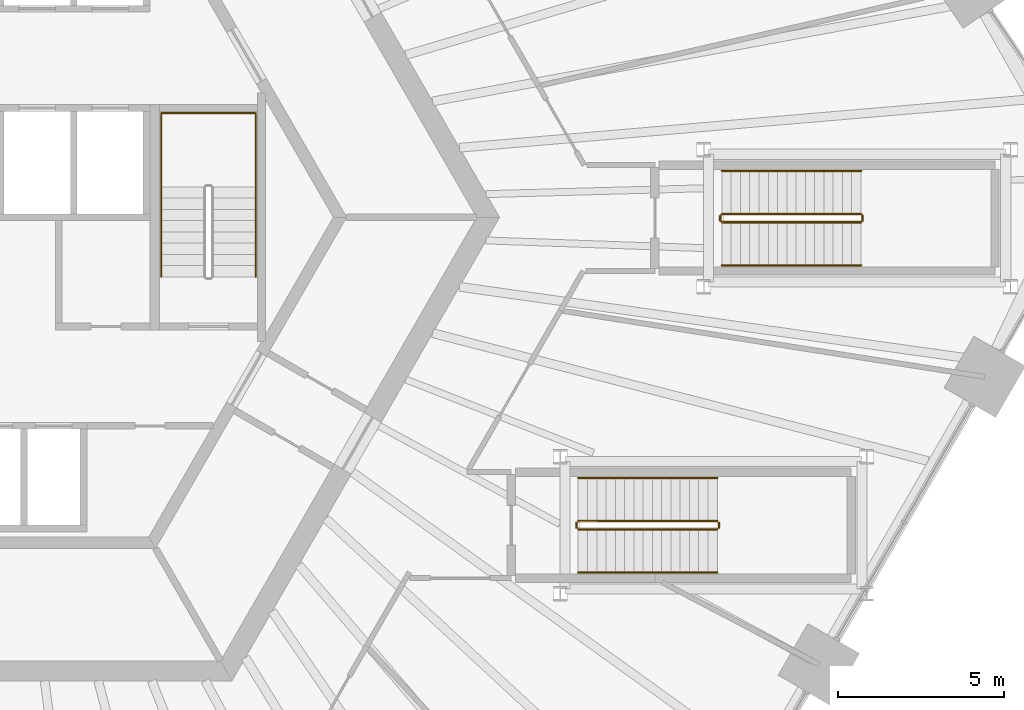
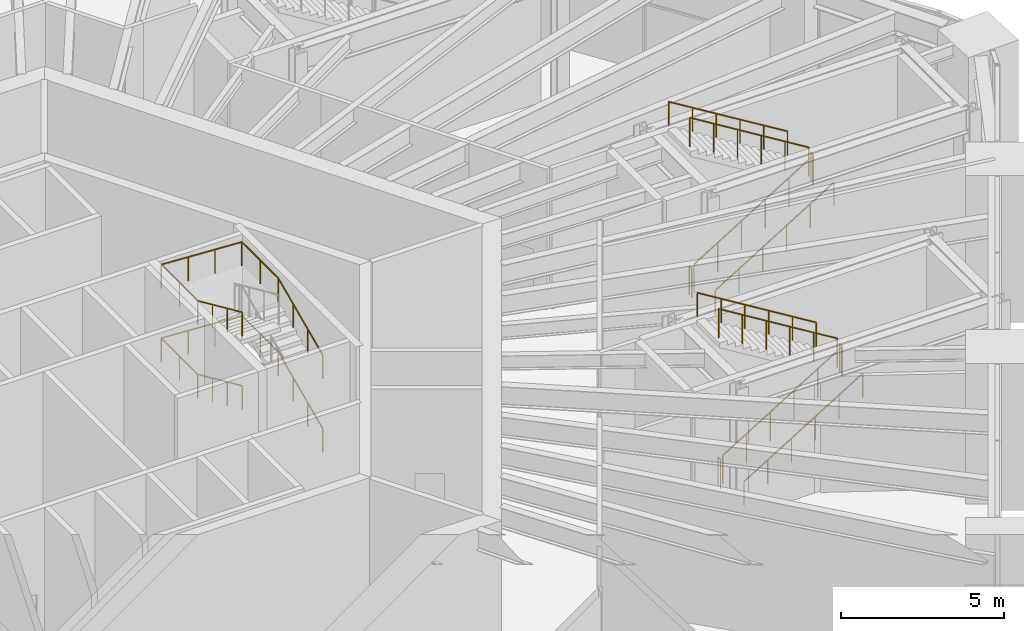
# One storey, part 28 of 30: 14 railings.
"""IFC4 building model written with IfcOpenShell, lengths in metres."""

from ifc_helpers import new_model, si_unit, direction, frame, origin, origin_2d, place, context, subcontext, project, spatial, circle, extrude, material, type_object, element, save


model = new_model("IFC4")

# Units and contexts
model_context = context("Model", 3, precision=1e-05, world=origin(), true_north=direction((0.0, 1.0)))
body_context = subcontext(model_context, "Body", "Model", "MODEL_VIEW")
ifc_project = project(units=[si_unit("LENGTHUNIT", "METRE"), si_unit("AREAUNIT", "SQUARE_METRE"), si_unit("VOLUMEUNIT", "CUBIC_METRE"), si_unit("PLANEANGLEUNIT", "RADIAN"), si_unit("MASSUNIT", "GRAM", prefix="KILO")], contexts=[model_context])

# Site, building, storey
site_placement = place(None, origin())
site = spatial("IfcSite", under=ifc_project, at=site_placement, CompositionType="ELEMENT")
building_placement = place(site_placement, origin())
building = spatial("IfcBuilding", under=site, at=building_placement, Name="Tarnside Tower", CompositionType="ELEMENT")
storey_placement = place(building_placement, frame((0.0, 0.0, 15.0)))
storey = spatial("IfcBuildingStorey", under=building, at=storey_placement, Name="L02", CompositionType="ELEMENT", Elevation=15.0)

# Railings
ifc_material = material(Name="Stainless steel", Category="steel")
railing_type_1 = type_object("IfcRailingType", Name="Podium stair guard 1100", PredefinedType="GUARDRAIL", material=ifc_material)
railing_1_placement = place(storey_placement, frame((22.8798828125, -0.14990234375, 0.171875)))
element("IfcRailing", 1, at=railing_1_placement, inside=storey, type_object=railing_type_1, Name="L02 PS3 stair guard 1", PredefinedType="GUARDRAIL", context=body_context, shape_type="SweptSolid", body=[
    extrude(circle(Radius=0.02392578125, at=origin_2d()), frame((0.0, 0.0, 1.076171875), z_axis=(0.852256472501, 0.0, 0.523124177495), x_axis=(0.0, 1.0, 0.0)), (0.0, 0.0, 1.0), 4.92822265625),
    extrude(circle(Radius=0.02099609375, at=origin_2d()), origin(), (0.0, 0.0, 1.0), 1.052001953125),
    extrude(circle(Radius=0.02099609375, at=origin_2d()), frame((0.840087890625, 0.0, 0.515625)), (0.0, 0.0, 1.0), 1.052001953125),
    extrude(circle(Radius=0.02099609375, at=origin_2d()), frame((1.68017578125, 0.0, 1.03125)), (0.0, 0.0, 1.0), 1.052001953125),
    extrude(circle(Radius=0.02099609375, at=origin_2d()), frame((2.52001953125, 0.0, 1.546875)), (0.0, 0.0, 1.0), 1.052001953125),
    extrude(circle(Radius=0.02099609375, at=origin_2d()), frame((3.360107421875, 0.0, 2.0625)), (0.0, 0.0, 1.0), 1.052001953125),
    extrude(circle(Radius=0.02099609375, at=origin_2d()), frame((4.2001953125, 0.0, 2.578125)), (0.0, 0.0, 1.0), 1.052001953125),
])
railing_2_placement = place(storey_placement, frame((27.1298828125, -0.10009765625, 2.75)))
element("IfcRailing", 2, at=railing_2_placement, inside=storey, type_object=railing_type_1, Name="L02 PS3 stair guard 2", PredefinedType="GUARDRAIL", context=body_context, shape_type="SweptSolid", body=[
    extrude(circle(Radius=0.02392578125, at=origin_2d()), frame((0.0, 0.0, 1.076171875), z_axis=(0.0, 1.0, 0.0), x_axis=(-1.0, 0.0, 0.0)), (0.0, 0.0, 1.0), 0.150146484375),
    extrude(circle(Radius=0.02099609375, at=origin_2d()), origin(), (0.0, 0.0, 1.0), 1.052001953125),
    extrude(circle(Radius=0.02099609375, at=origin_2d()), frame((0.0, 0.150146484375, 0.0)), (0.0, 0.0, 1.0), 1.052001953125),
])
railing_3_placement = place(storey_placement, frame((27.080078125, 0.10009765625, 2.921875)))
element("IfcRailing", 3, at=railing_3_placement, inside=storey, type_object=railing_type_1, Name="L02 PS3 stair guard 3", PredefinedType="GUARDRAIL", context=body_context, shape_type="SweptSolid", body=[
    extrude(circle(Radius=0.02392578125, at=origin_2d()), frame((0.0, 0.0, 1.076171875), z_axis=(-0.852256472501, 0.0, 0.523124177495), x_axis=(0.0, -1.0, 0.0)), (0.0, 0.0, 1.0), 4.92822265625),
    extrude(circle(Radius=0.02099609375, at=origin_2d()), origin(), (0.0, 0.0, 1.0), 1.052001953125),
    extrude(circle(Radius=0.02099609375, at=origin_2d()), frame((-0.840087890625, 0.0, 0.515625)), (0.0, 0.0, 1.0), 1.052001953125),
    extrude(circle(Radius=0.02099609375, at=origin_2d()), frame((-1.68017578125, 0.0, 1.03125)), (0.0, 0.0, 1.0), 1.052001953125),
    extrude(circle(Radius=0.02099609375, at=origin_2d()), frame((-2.52001953125, 0.0, 1.546875)), (0.0, 0.0, 1.0), 1.052001953125),
    extrude(circle(Radius=0.02099609375, at=origin_2d()), frame((-3.360107421875, 0.0, 2.0625)), (0.0, 0.0, 1.0), 1.052001953125),
    extrude(circle(Radius=0.02099609375, at=origin_2d()), frame((-4.2001953125, 0.0, 2.578125)), (0.0, 0.0, 1.0), 1.052001953125),
])
railing_4_placement = place(storey_placement, frame((22.830078125, -0.10009765625, 0.0)))
element("IfcRailing", 4, at=railing_4_placement, inside=storey, type_object=railing_type_1, Name="L02 PS3 stair guard 4", PredefinedType="GUARDRAIL", context=body_context, shape_type="SweptSolid", body=[
    extrude(circle(Radius=0.02392578125, at=origin_2d()), frame((0.0, 0.0, 1.076171875), z_axis=(0.0, 1.0, 0.0), x_axis=(-1.0, 0.0, 0.0)), (0.0, 0.0, 1.0), 0.150146484375),
    extrude(circle(Radius=0.02099609375, at=origin_2d()), origin(), (0.0, 0.0, 1.0), 1.052001953125),
    extrude(circle(Radius=0.02099609375, at=origin_2d()), frame((0.0, 0.150146484375, 0.0)), (0.0, 0.0, 1.0), 1.052001953125),
])
railing_5_placement = place(storey_placement, frame((18.5400390625, -9.425048828125, 0.171875)))
element("IfcRailing", 5, at=railing_5_placement, inside=storey, type_object=railing_type_1, Name="L02 PS5 stair guard 1", PredefinedType="GUARDRAIL", context=body_context, shape_type="SweptSolid", body=[
    extrude(circle(Radius=0.02392578125, at=origin_2d()), frame((0.0, 0.0, 1.076171875), z_axis=(0.852242915053, 0.0, 0.523146264196), x_axis=(0.0, 1.0, 0.0)), (0.0, 0.0, 1.0), 4.92822265625),
    extrude(circle(Radius=0.02099609375, at=origin_2d()), origin(), (0.0, 0.0, 1.0), 1.052001953125),
    extrude(circle(Radius=0.02099609375, at=origin_2d()), frame((0.840087890625, 0.0, 0.515625)), (0.0, 0.0, 1.0), 1.052001953125),
    extrude(circle(Radius=0.02099609375, at=origin_2d()), frame((1.679931640625, 0.0, 1.03125)), (0.0, 0.0, 1.0), 1.052001953125),
    extrude(circle(Radius=0.02099609375, at=origin_2d()), frame((2.52001953125, 0.0, 1.546875)), (0.0, 0.0, 1.0), 1.052001953125),
    extrude(circle(Radius=0.02099609375, at=origin_2d()), frame((3.35986328125, 0.0, 2.0625)), (0.0, 0.0, 1.0), 1.052001953125),
    extrude(circle(Radius=0.02099609375, at=origin_2d()), frame((4.199951171875, 0.0, 2.578125)), (0.0, 0.0, 1.0), 1.052001953125),
])
railing_6_placement = place(storey_placement, frame((22.7900390625, -9.375, 2.75)))
element("IfcRailing", 6, at=railing_6_placement, inside=storey, type_object=railing_type_1, Name="L02 PS5 stair guard 2", PredefinedType="GUARDRAIL", context=body_context, shape_type="SweptSolid", body=[
    extrude(circle(Radius=0.02392578125, at=origin_2d()), frame((0.0, 0.0, 1.076171875), z_axis=(0.0, 1.0, 0.0), x_axis=(-1.0, 0.0, 0.0)), (0.0, 0.0, 1.0), 0.14990234375),
    extrude(circle(Radius=0.02099609375, at=origin_2d()), origin(), (0.0, 0.0, 1.0), 1.052001953125),
    extrude(circle(Radius=0.02099609375, at=origin_2d()), frame((0.0, 0.14990234375, 0.0)), (0.0, 0.0, 1.0), 1.052001953125),
])
railing_7_placement = place(storey_placement, frame((22.739990234375, -9.175048828125, 2.921875)))
element("IfcRailing", 7, at=railing_7_placement, inside=storey, type_object=railing_type_1, Name="L02 PS5 stair guard 3", PredefinedType="GUARDRAIL", context=body_context, shape_type="SweptSolid", body=[
    extrude(circle(Radius=0.02392578125, at=origin_2d()), frame((0.0, 0.0, 1.076171875), z_axis=(-0.852242915053, 0.0, 0.523146264196), x_axis=(0.0, -1.0, 0.0)), (0.0, 0.0, 1.0), 4.92822265625),
    extrude(circle(Radius=0.02099609375, at=origin_2d()), origin(), (0.0, 0.0, 1.0), 1.052001953125),
    extrude(circle(Radius=0.02099609375, at=origin_2d()), frame((-0.840087890625, 0.0, 0.515625)), (0.0, 0.0, 1.0), 1.052001953125),
    extrude(circle(Radius=0.02099609375, at=origin_2d()), frame((-1.679931640625, 0.0, 1.03125)), (0.0, 0.0, 1.0), 1.052001953125),
    extrude(circle(Radius=0.02099609375, at=origin_2d()), frame((-2.52001953125, 0.0, 1.546875)), (0.0, 0.0, 1.0), 1.052001953125),
    extrude(circle(Radius=0.02099609375, at=origin_2d()), frame((-3.35986328125, 0.0, 2.0625)), (0.0, 0.0, 1.0), 1.052001953125),
    extrude(circle(Radius=0.02099609375, at=origin_2d()), frame((-4.199951171875, 0.0, 2.578125)), (0.0, 0.0, 1.0), 1.052001953125),
])
railing_8_placement = place(storey_placement, frame((18.489990234375, -9.375, 0.0)))
element("IfcRailing", 8, at=railing_8_placement, inside=storey, type_object=railing_type_1, Name="L02 PS5 stair guard 4", PredefinedType="GUARDRAIL", context=body_context, shape_type="SweptSolid", body=[
    extrude(circle(Radius=0.02392578125, at=origin_2d()), frame((0.0, 0.0, 1.076171875), z_axis=(0.0, 1.0, 0.0), x_axis=(-1.0, 0.0, 0.0)), (0.0, 0.0, 1.0), 0.14990234375),
    extrude(circle(Radius=0.02099609375, at=origin_2d()), origin(), (0.0, 0.0, 1.0), 1.052001953125),
    extrude(circle(Radius=0.02099609375, at=origin_2d()), frame((0.0, 0.14990234375, 0.0)), (0.0, 0.0, 1.0), 1.052001953125),
])
railing_type_2 = type_object("IfcRailingType", Name="Podium stair handrail 900", PredefinedType="HANDRAIL", material=ifc_material)
railing_9_placement = place(storey_placement, frame((22.8798828125, -1.449951171875, 0.171875)))
element("IfcRailing", 9, at=railing_9_placement, inside=storey, type_object=railing_type_2, Name="L02 PS3 stair handrail 1", PredefinedType="HANDRAIL", context=body_context, shape_type="SweptSolid", body=[
    extrude(circle(Radius=0.02392578125, at=origin_2d()), frame((0.0, 0.0, 0.8857421875), z_axis=(0.852256472501, 0.0, 0.523124177495), x_axis=(0.0, 1.0, 0.0)), (0.0, 0.0, 1.0), 4.92822265625),
    extrude(circle(Radius=0.02099609375, at=origin_2d()), origin(), (0.0, 0.0, 1.0), 0.86181640625),
    extrude(circle(Radius=0.02099609375, at=origin_2d()), frame((0.840087890625, 0.0, 0.515625)), (0.0, 0.0, 1.0), 0.86181640625),
    extrude(circle(Radius=0.02099609375, at=origin_2d()), frame((1.68017578125, 0.0, 1.03125)), (0.0, 0.0, 1.0), 0.86181640625),
    extrude(circle(Radius=0.02099609375, at=origin_2d()), frame((2.52001953125, 0.0, 1.546875)), (0.0, 0.0, 1.0), 0.86181640625),
    extrude(circle(Radius=0.02099609375, at=origin_2d()), frame((3.360107421875, 0.0, 2.0625)), (0.0, 0.0, 1.0), 0.86181640625),
    extrude(circle(Radius=0.02099609375, at=origin_2d()), frame((4.2001953125, 0.0, 2.578125)), (0.0, 0.0, 1.0), 0.86181640625),
])
railing_10_placement = place(storey_placement, frame((27.080078125, 1.39990234375, 2.921875)))
element("IfcRailing", 10, at=railing_10_placement, inside=storey, type_object=railing_type_2, Name="L02 PS3 stair handrail 2", PredefinedType="HANDRAIL", context=body_context, shape_type="SweptSolid", body=[
    extrude(circle(Radius=0.02392578125, at=origin_2d()), frame((0.0, 0.0, 0.8857421875), z_axis=(-0.852256472501, 0.0, 0.523124177495), x_axis=(0.0, -1.0, 0.0)), (0.0, 0.0, 1.0), 4.92822265625),
    extrude(circle(Radius=0.02099609375, at=origin_2d()), origin(), (0.0, 0.0, 1.0), 0.86181640625),
    extrude(circle(Radius=0.02099609375, at=origin_2d()), frame((-0.840087890625, 0.0, 0.515625)), (0.0, 0.0, 1.0), 0.86181640625),
    extrude(circle(Radius=0.02099609375, at=origin_2d()), frame((-1.68017578125, 0.0, 1.03125)), (0.0, 0.0, 1.0), 0.86181640625),
    extrude(circle(Radius=0.02099609375, at=origin_2d()), frame((-2.52001953125, 0.0, 1.546875)), (0.0, 0.0, 1.0), 0.86181640625),
    extrude(circle(Radius=0.02099609375, at=origin_2d()), frame((-3.360107421875, 0.0, 2.0625)), (0.0, 0.0, 1.0), 0.86181640625),
    extrude(circle(Radius=0.02099609375, at=origin_2d()), frame((-4.2001953125, 0.0, 2.578125)), (0.0, 0.0, 1.0), 0.86181640625),
])
railing_11_placement = place(storey_placement, frame((18.5400390625, -10.72509765625, 0.171875)))
element("IfcRailing", 11, at=railing_11_placement, inside=storey, type_object=railing_type_2, Name="L02 PS5 stair handrail 1", PredefinedType="HANDRAIL", context=body_context, shape_type="SweptSolid", body=[
    extrude(circle(Radius=0.02392578125, at=origin_2d()), frame((0.0, 0.0, 0.8857421875), z_axis=(0.852242915053, 0.0, 0.523146264196), x_axis=(0.0, 1.0, 0.0)), (0.0, 0.0, 1.0), 4.92822265625),
    extrude(circle(Radius=0.02099609375, at=origin_2d()), origin(), (0.0, 0.0, 1.0), 0.86181640625),
    extrude(circle(Radius=0.02099609375, at=origin_2d()), frame((0.840087890625, 0.0, 0.515625)), (0.0, 0.0, 1.0), 0.86181640625),
    extrude(circle(Radius=0.02099609375, at=origin_2d()), frame((1.679931640625, 0.0, 1.03125)), (0.0, 0.0, 1.0), 0.86181640625),
    extrude(circle(Radius=0.02099609375, at=origin_2d()), frame((2.52001953125, 0.0, 1.546875)), (0.0, 0.0, 1.0), 0.86181640625),
    extrude(circle(Radius=0.02099609375, at=origin_2d()), frame((3.35986328125, 0.0, 2.0625)), (0.0, 0.0, 1.0), 0.86181640625),
    extrude(circle(Radius=0.02099609375, at=origin_2d()), frame((4.199951171875, 0.0, 2.578125)), (0.0, 0.0, 1.0), 0.86181640625),
])
railing_12_placement = place(storey_placement, frame((22.739990234375, -7.875, 2.921875)))
element("IfcRailing", 12, at=railing_12_placement, inside=storey, type_object=railing_type_2, Name="L02 PS5 stair handrail 2", PredefinedType="HANDRAIL", context=body_context, shape_type="SweptSolid", body=[
    extrude(circle(Radius=0.02392578125, at=origin_2d()), frame((0.0, 0.0, 0.8857421875), z_axis=(-0.852242915053, 0.0, 0.523146264196), x_axis=(0.0, -1.0, 0.0)), (0.0, 0.0, 1.0), 4.92822265625),
    extrude(circle(Radius=0.02099609375, at=origin_2d()), origin(), (0.0, 0.0, 1.0), 0.86181640625),
    extrude(circle(Radius=0.02099609375, at=origin_2d()), frame((-0.840087890625, 0.0, 0.515625)), (0.0, 0.0, 1.0), 0.86181640625),
    extrude(circle(Radius=0.02099609375, at=origin_2d()), frame((-1.679931640625, 0.0, 1.03125)), (0.0, 0.0, 1.0), 0.86181640625),
    extrude(circle(Radius=0.02099609375, at=origin_2d()), frame((-2.52001953125, 0.0, 1.546875)), (0.0, 0.0, 1.0), 0.86181640625),
    extrude(circle(Radius=0.02099609375, at=origin_2d()), frame((-3.35986328125, 0.0, 2.0625)), (0.0, 0.0, 1.0), 0.86181640625),
    extrude(circle(Radius=0.02099609375, at=origin_2d()), frame((-4.199951171875, 0.0, 2.578125)), (0.0, 0.0, 1.0), 0.86181640625),
])
railing_type_3 = type_object("IfcRailingType", Name="Stair handrail 900", PredefinedType="HANDRAIL", material=ifc_material)
railing_13_placement = place(storey_placement, frame((8.800048828125, -1.800048828125, 0.15283203125)))
element("IfcRailing", 13, at=railing_13_placement, inside=storey, type_object=railing_type_3, Name="L02 ST1 stair handrail 1", PredefinedType="HANDRAIL", context=body_context, shape_type="SweptSolid", body=[
    extrude(circle(Radius=0.02392578125, at=origin_2d()), frame((0.0, 0.0, 0.8857421875), z_axis=(0.0, 0.912149621895, 0.409857374312), x_axis=(-1.0, 0.0, 0.0)), (0.0, 0.0, 1.0), 2.98193359375),
    extrude(circle(Radius=0.02392578125, at=origin_2d()), frame((0.0, 2.719970703125, 2.10791015625), z_axis=(0.0, 1.0, 0.0), x_axis=(-1.0, 0.0, 0.0)), (0.0, 0.0, 1.0), 2.22998046875),
    extrude(circle(Radius=0.02392578125, at=origin_2d()), frame((0.0, 4.949951171875, 2.10791015625), z_axis=(-0.998565356737, 0.0, 0.053546506195), x_axis=(0.0, -1.0, 0.0)), (0.0, 0.0, 1.0), 2.854248046875),
    extrude(circle(Radius=0.02392578125, at=origin_2d()), frame((-2.85009765625, 4.949951171875, 2.2607421875), z_axis=(0.0, -1.0, 0.0), x_axis=(1.0, 0.0, 0.0)), (0.0, 0.0, 1.0), 2.22998046875),
    extrude(circle(Radius=0.02392578125, at=origin_2d()), frame((-2.85009765625, 2.719970703125, 2.2607421875), z_axis=(0.0, -0.912149621895, 0.409857374312), x_axis=(1.0, 0.0, 0.0)), (0.0, 0.0, 1.0), 2.98193359375),
    extrude(circle(Radius=0.02099609375, at=origin_2d()), origin(), (0.0, 0.0, 1.0), 0.86181640625),
    extrude(circle(Radius=0.02099609375, at=origin_2d()), frame((0.0, 0.90673828125, 0.407470703125)), (0.0, 0.0, 1.0), 0.86181640625),
    extrude(circle(Radius=0.02099609375, at=origin_2d()), frame((0.0, 1.813232421875, 0.814697265625)), (0.0, 0.0, 1.0), 0.86181640625),
    extrude(circle(Radius=0.02099609375, at=origin_2d()), frame((0.0, 2.719970703125, 1.22216796875)), (0.0, 0.0, 1.0), 0.86181640625),
    extrude(circle(Radius=0.02099609375, at=origin_2d()), frame((0.0, 3.8349609375, 1.22216796875)), (0.0, 0.0, 1.0), 0.86181640625),
    extrude(circle(Radius=0.02099609375, at=origin_2d()), frame((0.0, 4.949951171875, 1.22216796875)), (0.0, 0.0, 1.0), 0.86181640625),
    extrude(circle(Radius=0.02099609375, at=origin_2d()), frame((-0.949951171875, 4.949951171875, 1.273193359375)), (0.0, 0.0, 1.0), 0.86181640625),
    extrude(circle(Radius=0.02099609375, at=origin_2d()), frame((-1.900146484375, 4.949951171875, 1.323974609375)), (0.0, 0.0, 1.0), 0.86181640625),
    extrude(circle(Radius=0.02099609375, at=origin_2d()), frame((-2.85009765625, 4.949951171875, 1.375)), (0.0, 0.0, 1.0), 0.86181640625),
    extrude(circle(Radius=0.02099609375, at=origin_2d()), frame((-2.85009765625, 3.8349609375, 1.375)), (0.0, 0.0, 1.0), 0.86181640625),
    extrude(circle(Radius=0.02099609375, at=origin_2d()), frame((-2.85009765625, 2.719970703125, 1.375)), (0.0, 0.0, 1.0), 0.86181640625),
    extrude(circle(Radius=0.02099609375, at=origin_2d()), frame((-2.85009765625, 1.813232421875, 1.782470703125)), (0.0, 0.0, 1.0), 0.86181640625),
    extrude(circle(Radius=0.02099609375, at=origin_2d()), frame((-2.85009765625, 0.90673828125, 2.189697265625)), (0.0, 0.0, 1.0), 0.86181640625),
    extrude(circle(Radius=0.02099609375, at=origin_2d()), frame((-2.85009765625, 0.0, 2.59716796875)), (0.0, 0.0, 1.0), 0.86181640625),
])
railing_14_placement = place(storey_placement, frame((8.800048828125, -1.800048828125, 2.90283203125)))
element("IfcRailing", 14, at=railing_14_placement, inside=storey, type_object=railing_type_3, Name="L02 ST1 stair handrail 2", PredefinedType="HANDRAIL", context=body_context, shape_type="SweptSolid", body=[
    extrude(circle(Radius=0.02392578125, at=origin_2d()), frame((0.0, 0.0, 0.8857421875), z_axis=(0.0, 0.912149621895, 0.409857374312), x_axis=(-1.0, 0.0, 0.0)), (0.0, 0.0, 1.0), 2.98193359375),
    extrude(circle(Radius=0.02392578125, at=origin_2d()), frame((0.0, 2.719970703125, 2.10791015625), z_axis=(0.0, 1.0, 0.0), x_axis=(-1.0, 0.0, 0.0)), (0.0, 0.0, 1.0), 2.22998046875),
    extrude(circle(Radius=0.02392578125, at=origin_2d()), frame((0.0, 4.949951171875, 2.10791015625), z_axis=(-0.998565356737, 0.0, 0.053546506195), x_axis=(0.0, -1.0, 0.0)), (0.0, 0.0, 1.0), 2.854248046875),
    extrude(circle(Radius=0.02392578125, at=origin_2d()), frame((-2.85009765625, 4.949951171875, 2.2607421875), z_axis=(0.0, -1.0, 0.0), x_axis=(1.0, 0.0, 0.0)), (0.0, 0.0, 1.0), 2.22998046875),
    extrude(circle(Radius=0.02392578125, at=origin_2d()), frame((-2.85009765625, 2.719970703125, 2.2607421875), z_axis=(0.0, -0.912149621895, 0.409857374312), x_axis=(1.0, 0.0, 0.0)), (0.0, 0.0, 1.0), 2.98193359375),
    extrude(circle(Radius=0.02099609375, at=origin_2d()), origin(), (0.0, 0.0, 1.0), 0.86181640625),
    extrude(circle(Radius=0.02099609375, at=origin_2d()), frame((0.0, 0.90673828125, 0.407470703125)), (0.0, 0.0, 1.0), 0.86181640625),
    extrude(circle(Radius=0.02099609375, at=origin_2d()), frame((0.0, 1.813232421875, 0.814697265625)), (0.0, 0.0, 1.0), 0.86181640625),
    extrude(circle(Radius=0.02099609375, at=origin_2d()), frame((0.0, 2.719970703125, 1.22216796875)), (0.0, 0.0, 1.0), 0.86181640625),
    extrude(circle(Radius=0.02099609375, at=origin_2d()), frame((0.0, 3.8349609375, 1.22216796875)), (0.0, 0.0, 1.0), 0.86181640625),
    extrude(circle(Radius=0.02099609375, at=origin_2d()), frame((0.0, 4.949951171875, 1.22216796875)), (0.0, 0.0, 1.0), 0.86181640625),
    extrude(circle(Radius=0.02099609375, at=origin_2d()), frame((-0.949951171875, 4.949951171875, 1.273193359375)), (0.0, 0.0, 1.0), 0.86181640625),
    extrude(circle(Radius=0.02099609375, at=origin_2d()), frame((-1.900146484375, 4.949951171875, 1.323974609375)), (0.0, 0.0, 1.0), 0.86181640625),
    extrude(circle(Radius=0.02099609375, at=origin_2d()), frame((-2.85009765625, 4.949951171875, 1.375)), (0.0, 0.0, 1.0), 0.86181640625),
    extrude(circle(Radius=0.02099609375, at=origin_2d()), frame((-2.85009765625, 3.8349609375, 1.375)), (0.0, 0.0, 1.0), 0.86181640625),
    extrude(circle(Radius=0.02099609375, at=origin_2d()), frame((-2.85009765625, 2.719970703125, 1.375)), (0.0, 0.0, 1.0), 0.86181640625),
    extrude(circle(Radius=0.02099609375, at=origin_2d()), frame((-2.85009765625, 1.813232421875, 1.782470703125)), (0.0, 0.0, 1.0), 0.86181640625),
    extrude(circle(Radius=0.02099609375, at=origin_2d()), frame((-2.85009765625, 0.90673828125, 2.189697265625)), (0.0, 0.0, 1.0), 0.86181640625),
    extrude(circle(Radius=0.02099609375, at=origin_2d()), frame((-2.85009765625, 0.0, 2.59716796875)), (0.0, 0.0, 1.0), 0.86181640625),
])

save(model, "model.ifc")
